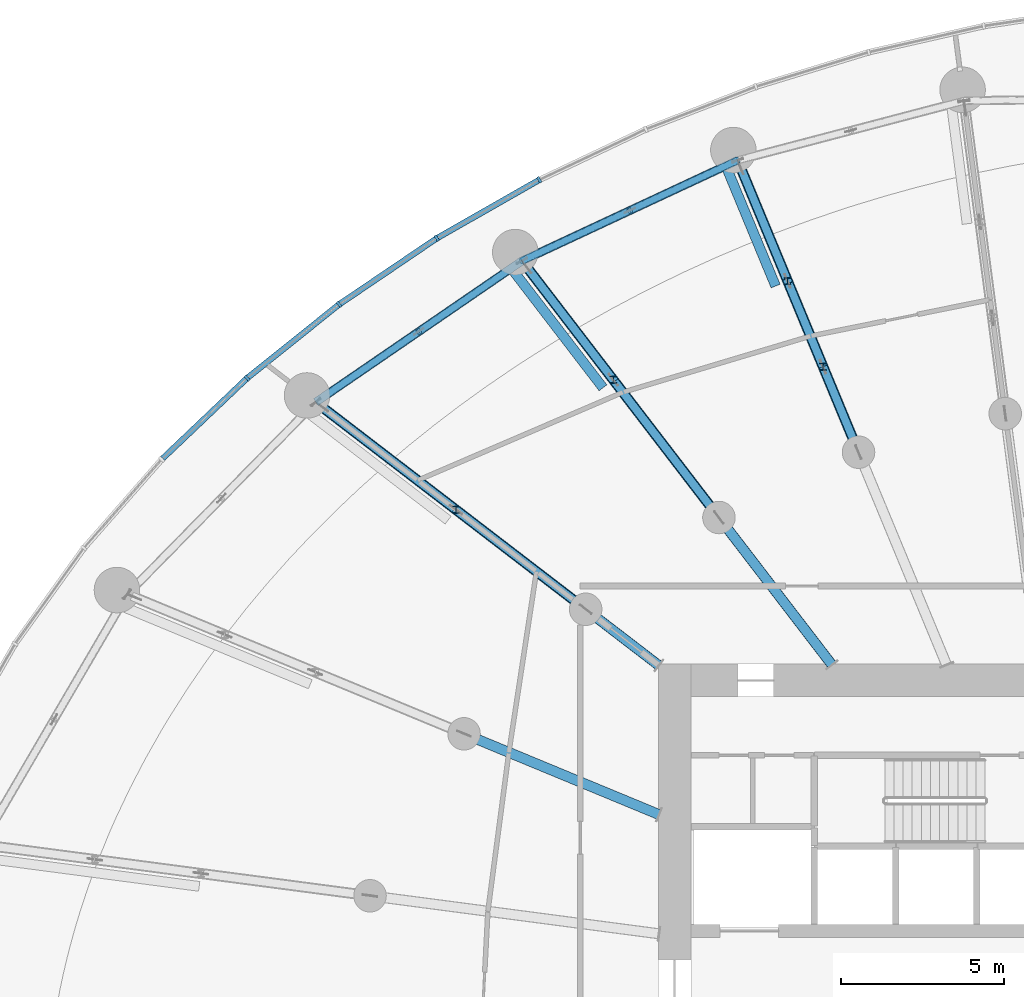
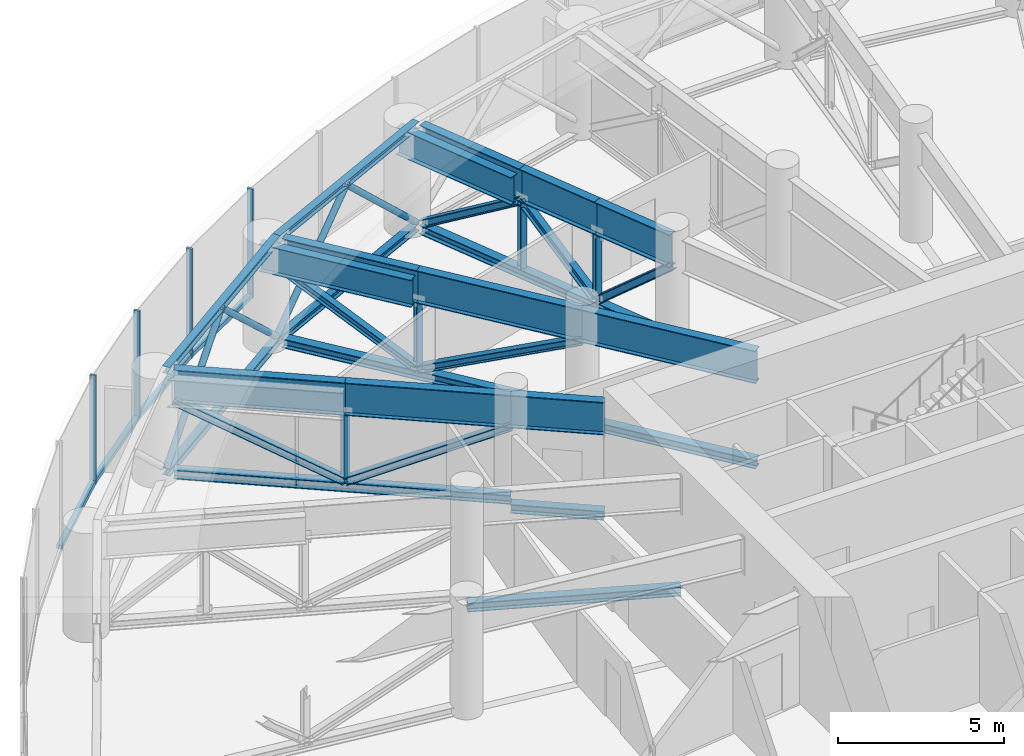
# One storey, part 11 of 42: 33 members, 11 beams, 2 elements without a shape of their own.
"""IFC4 building model written with IfcOpenShell, lengths in metres."""

from ifc_helpers import new_model, si_unit, direction, frame, origin, origin_2d, place, context, subcontext, project, spatial, rectangle, hollow_circle, i_section, extrude, source, transform, mapped, material, layer, layer_set, material_profile, profile_set, type_object, element, aggregate, save


model = new_model("IFC4")

# Units and contexts
model_context = context("Model", 3, precision=1e-05, world=origin(), true_north=direction((0.0, 1.0)))
body_context = subcontext(model_context, "Body", "Model", "MODEL_VIEW")
ifc_project = project(units=[si_unit("LENGTHUNIT", "METRE"), si_unit("AREAUNIT", "SQUARE_METRE"), si_unit("VOLUMEUNIT", "CUBIC_METRE"), si_unit("PLANEANGLEUNIT", "RADIAN"), si_unit("MASSUNIT", "GRAM", prefix="KILO")], contexts=[model_context])

# Site, building, storey
site_placement = place(None, origin())
site = spatial("IfcSite", under=ifc_project, at=site_placement, CompositionType="ELEMENT")
building_placement = place(site_placement, origin())
building = spatial("IfcBuilding", under=site, at=building_placement, Name="Spindrift Exchange Tower", CompositionType="ELEMENT")
storey_placement = place(building_placement, frame((0.0, 0.0, 75.39990234375)))
storey = spatial("IfcBuildingStorey", under=building, at=storey_placement, Name="L17", CompositionType="ELEMENT", Elevation=75.39990234375)

# Members
ifc_material_1 = material(Name="Steel Grade 300", Category="steel")
ifc_material_profile_1 = material_profile(ifc_material_1, i_section(OverallWidth=0.205078125, OverallDepth=0.2099609375, WebThickness=0.00927734375, FlangeThickness=0.01416015625, FilletRadius=0.012939453125, at=origin_2d()), Name="200UC59.5")
ifc_profile_set_1 = profile_set([ifc_material_profile_1], Name="Steel Grade 300")
member_type_1 = type_object("IfcMemberType", Name="Outrigger Truss Post 200UC59.5 Steel Grade 300", PredefinedType="POST", material=ifc_profile_set_1)
shared_shape_1 = source(origin(), body_context, "Body", "SweptSolid", [
    extrude(i_section(OverallWidth=0.205078125, OverallDepth=0.2099609375, WebThickness=0.00927734375, FlangeThickness=0.01416015625, FilletRadius=0.012939453125, at=origin_2d()), origin(), (0.0, 0.0, 1.0), 2.472900390625),
])
for number, where, z_axis, x_axis, name in (
    (1, (44.068115234375, 67.14892578125, 0.3271484375), (0.0, 0.0, 1.0), (1.0, 0.0, 0.0), "L17 outrigger truss 08 post 2"),
    (2, (42.978271484375, 69.780517578125, 0.3271484375), (0.0, 0.0, 1.0), (1.0, 0.0, 0.0), "L17 outrigger truss 08 post 3"),
    (3, (37.617919921875, 66.742919921875, 0.3271484375), (0.0, 0.0, 1.0), (1.0, 0.0, 0.0), "L17 outrigger truss 09 post 2"),
    (4, (32.7802734375, 62.747802734375, 0.3271484375), (0.0, 0.0, 1.0), (1.0, 0.0, 0.0), "L17 outrigger truss 10 post 2"),
):
    element("IfcMember", number, at=place(storey_placement, frame(where, z_axis=z_axis, x_axis=x_axis)), inside=storey, type_object=member_type_1, Name=name, PredefinedType="POST", context=body_context, shape_type="MappedRepresentation", body=[
        mapped(shared_shape_1, transform((0.0, 0.0, 0.0), scale=1.0)),
    ])

# Beam
ifc_material_profile_2 = material_profile(ifc_material_1, i_section(OverallWidth=0.300048828125, OverallDepth=1.199951171875, WebThickness=0.011962890625, FlangeThickness=0.028076171875, at=origin_2d()), Name="1200WB249")
ifc_profile_set_2 = profile_set([ifc_material_profile_2], Name="Steel Grade 300")
beam_type_1 = type_object("IfcBeamType", Name="Outrigger Truss Transfer Girder 1200WB249 Steel Grade 300", PredefinedType="BEAM", material=ifc_profile_set_2)
shared_shape_2 = source(origin(), body_context, "Body", "SweptSolid", [
    extrude(i_section(OverallWidth=0.300048828125, OverallDepth=1.199951171875, WebThickness=0.011962890625, FlangeThickness=0.028076171875, at=origin_2d()), origin(), (0.0, 0.0, 1.0), 2.84814453125),
])
beam_1_placement = place(storey_placement, frame((45.158203125, 64.517578125, 3.400146484375), z_axis=(-0.382727785933, 0.923861159415, 0.0), x_axis=(-0.923861159415, -0.382727785933, 0.0)))
element("IfcBeam", 5, at=beam_1_placement, inside=storey, type_object=beam_type_1, Name="L17 outrigger truss 08 top chord 2", PredefinedType="BEAM", context=body_context, shape_type="MappedRepresentation", body=[
    mapped(shared_shape_2, transform((0.0, 0.0, 0.0), scale=1.0)),
])

# Members
ifc_material_profile_3 = material_profile(ifc_material_1, i_section(OverallWidth=0.31103515625, OverallDepth=0.326904296875, WebThickness=0.015625, FlangeThickness=0.02490234375, FilletRadius=0.0166015625, at=origin_2d()), Name="310UC158")
ifc_profile_set_3 = profile_set([ifc_material_profile_3], Name="Steel Grade 300")
member_type_2 = type_object("IfcMemberType", Name="Outrigger Truss Chord 310UC158 Steel Grade 300", PredefinedType="CHORD", material=ifc_profile_set_3)
shared_shape_3 = source(origin(), body_context, "Body", "SweptSolid", [
    extrude(i_section(OverallWidth=0.31103515625, OverallDepth=0.326904296875, WebThickness=0.015625, FlangeThickness=0.02490234375, FilletRadius=0.0166015625, at=origin_2d()), origin(), (0.0, 0.0, 1.0), 9.4765625),
])
member_1_placement = place(storey_placement, frame((45.158203125, 64.517578125, 0.16357421875), z_axis=(-0.38268095717, 0.923880557767, 0.0), x_axis=(-0.923880557767, -0.38268095717, 0.0)))
element("IfcMember", 6, at=member_1_placement, inside=storey, type_object=member_type_2, Name="L17 outrigger truss 08 bottom chord 2", PredefinedType="CHORD", context=body_context, shape_type="MappedRepresentation", body=[
    mapped(shared_shape_3, transform((0.0, 0.0, 0.0), scale=1.0)),
])
ifc_material_profile_4 = material_profile(ifc_material_1, i_section(OverallWidth=0.256103515625, OverallDepth=0.260009765625, WebThickness=0.010498046875, FlangeThickness=0.017333984375, FilletRadius=0.011962890625, at=origin_2d()), Name="250UC89.5")
ifc_profile_set_4 = profile_set([ifc_material_profile_4], Name="Steel Grade 300")
member_type_3 = type_object("IfcMemberType", Name="Outrigger Truss Diagonal 250UC89.5 Steel Grade 300", PredefinedType="BRACE", material=ifc_profile_set_4)
shared_shape_4 = source(origin(), body_context, "Body", "SweptSolid", [
    extrude(i_section(OverallWidth=0.256103515625, OverallDepth=0.260009765625, WebThickness=0.010498046875, FlangeThickness=0.017333984375, FilletRadius=0.011962890625, at=origin_2d()), origin(), (0.0, 0.0, 1.0), 3.77197265625),
])
for number, where, z_axis, x_axis, name in (
    (7, (45.158203125, 64.517578125, 2.800048828125), (-0.288999397059, 0.697611534492, -0.655604679242), (-0.923861159415, -0.382727785933, 0.0), "L17 outrigger truss 08 diagonal 2"),
    (8, (44.068115234375, 67.14892578125, 0.3271484375), (-0.288927029006, 0.697657805927, 0.655587337994), (-0.923904016107, -0.382624318388, 0.0), "L17 outrigger truss 08 diagonal 3"),
):
    element("IfcMember", number, at=place(storey_placement, frame(where, z_axis=z_axis, x_axis=x_axis)), inside=storey, type_object=member_type_3, Name=name, PredefinedType="BRACE", context=body_context, shape_type="MappedRepresentation", body=[
        mapped(shared_shape_4, transform((0.0, 0.0, 0.0), scale=1.0)),
    ])

# Beams
shared_shape_5 = source(origin(), body_context, "Body", "SweptSolid", [
    extrude(i_section(OverallWidth=0.300048828125, OverallDepth=1.199951171875, WebThickness=0.011962890625, FlangeThickness=0.028076171875, at=origin_2d()), origin(), (0.0, 0.0, 1.0), 2.848388671875),
])
beam_2_placement = place(storey_placement, frame((44.068115234375, 67.14892578125, 3.400146484375), z_axis=(-0.382624318388, 0.923904016107, 0.0), x_axis=(-0.923904016107, -0.382624318388, 0.0)))
element("IfcBeam", 9, at=beam_2_placement, inside=storey, type_object=beam_type_1, Name="L17 outrigger truss 08 top chord 3", PredefinedType="BEAM", context=body_context, shape_type="MappedRepresentation", body=[
    mapped(shared_shape_5, transform((0.0, 0.0, 0.0), scale=1.0)),
])
shared_shape_6 = source(origin(), body_context, "Body", "SweptSolid", [
    extrude(i_section(OverallWidth=0.300048828125, OverallDepth=1.199951171875, WebThickness=0.011962890625, FlangeThickness=0.028076171875, at=origin_2d()), origin(), (0.0, 0.0, 1.0), 3.780029296875),
])
beam_3_placement = place(storey_placement, frame((42.978271484375, 69.780517578125, 3.400146484375), z_axis=(-0.382688350161, 0.923877495478, 0.0), x_axis=(-0.923877495478, -0.382688350161, 0.0)))
element("IfcBeam", 10, at=beam_3_placement, inside=storey, type_object=beam_type_1, Name="L17 outrigger truss 08 top chord 4", PredefinedType="BEAM", context=body_context, shape_type="MappedRepresentation", body=[
    mapped(shared_shape_6, transform((0.0, 0.0, 0.0), scale=1.0)),
])

# Member
shared_shape_7 = source(origin(), body_context, "Body", "SweptSolid", [
    extrude(i_section(OverallWidth=0.256103515625, OverallDepth=0.260009765625, WebThickness=0.010498046875, FlangeThickness=0.017333984375, FilletRadius=0.011962890625, at=origin_2d()), origin(), (0.0, 0.0, 1.0), 4.51708984375),
])
member_2_placement = place(storey_placement, frame((42.978271484375, 69.780517578125, 2.800048828125), z_axis=(-0.320243752659, 0.773125170976, -0.547468180706), x_axis=(-0.923877495478, -0.382688350161, 0.0)))
element("IfcMember", 11, at=member_2_placement, inside=storey, type_object=member_type_3, Name="L17 outrigger truss 08 diagonal 4", PredefinedType="BRACE", context=body_context, shape_type="MappedRepresentation", body=[
    mapped(shared_shape_7, transform((0.0, 0.0, 0.0), scale=1.0)),
])

# Beam
shared_shape_8 = source(origin(), body_context, "Body", "SweptSolid", [
    extrude(i_section(OverallWidth=0.300048828125, OverallDepth=1.199951171875, WebThickness=0.011962890625, FlangeThickness=0.028076171875, at=origin_2d()), origin(), (0.0, 0.0, 1.0), 5.70458984375),
])
beam_4_placement = place(storey_placement, frame((44.3388671875, 57.984130859375, 3.400146484375), z_axis=(-0.608742365615, 0.793367967784, 0.0), x_axis=(-0.793367967784, -0.608742365615, 0.0)))
element("IfcBeam", 12, at=beam_4_placement, inside=storey, type_object=beam_type_1, Name="L17 outrigger truss 09 top chord 1", PredefinedType="BEAM", context=body_context, shape_type="MappedRepresentation", body=[
    mapped(shared_shape_8, transform((0.0, 0.0, 0.0), scale=1.0)),
])

# Member
shared_shape_9 = source(origin(), body_context, "Body", "SweptSolid", [
    extrude(i_section(OverallWidth=0.31103515625, OverallDepth=0.326904296875, WebThickness=0.015625, FlangeThickness=0.02490234375, FilletRadius=0.0166015625, at=origin_2d()), origin(), (0.0, 0.0, 1.0), 5.70458984375),
])
member_3_placement = place(storey_placement, frame((44.3388671875, 57.984130859375, -0.163330078125), z_axis=(-0.608742365615, 0.793367967784, 0.0), x_axis=(-0.793367967784, -0.608742365615, 0.0)))
element("IfcMember", 13, at=member_3_placement, inside=storey, type_object=member_type_2, Name="L17 outrigger truss 09 bottom chord 1", PredefinedType="CHORD", context=body_context, shape_type="MappedRepresentation", body=[
    mapped(shared_shape_9, transform((0.0, 0.0, 0.0), scale=1.0)),
])

# Beam
shared_shape_10 = source(origin(), body_context, "Body", "SweptSolid", [
    extrude(i_section(OverallWidth=0.300048828125, OverallDepth=1.199951171875, WebThickness=0.011962890625, FlangeThickness=0.028076171875, at=origin_2d()), origin(), (0.0, 0.0, 1.0), 5.335693359375),
])
beam_5_placement = place(storey_placement, frame((40.8662109375, 62.510009765625, 3.400146484375), z_axis=(-0.608792667056, 0.793329369517, 0.0), x_axis=(-0.793329369517, -0.608792667056, 0.0)))
element("IfcBeam", 14, at=beam_5_placement, inside=storey, type_object=beam_type_1, Name="L17 outrigger truss 09 top chord 2", PredefinedType="BEAM", context=body_context, shape_type="MappedRepresentation", body=[
    mapped(shared_shape_10, transform((0.0, 0.0, 0.0), scale=1.0)),
])

# Members
shared_shape_11 = source(origin(), body_context, "Body", "SweptSolid", [
    extrude(i_section(OverallWidth=0.31103515625, OverallDepth=0.326904296875, WebThickness=0.015625, FlangeThickness=0.02490234375, FilletRadius=0.0166015625, at=origin_2d()), origin(), (0.0, 0.0, 1.0), 9.707763671875),
])
member_4_placement = place(storey_placement, frame((40.8662109375, 62.510009765625, 0.16357421875), z_axis=(-0.608759891008, 0.793354520438, 0.0), x_axis=(-0.793354520438, -0.608759891008, 0.0)))
element("IfcMember", 15, at=member_4_placement, inside=storey, type_object=member_type_2, Name="L17 outrigger truss 09 bottom chord 2", PredefinedType="CHORD", context=body_context, shape_type="MappedRepresentation", body=[
    mapped(shared_shape_11, transform((0.0, 0.0, 0.0), scale=1.0)),
])
shared_shape_12 = source(origin(), body_context, "Body", "SweptSolid", [
    extrude(i_section(OverallWidth=0.256103515625, OverallDepth=0.260009765625, WebThickness=0.010498046875, FlangeThickness=0.017333984375, FilletRadius=0.011962890625, at=origin_2d()), origin(), (0.0, 0.0, 1.0), 5.880859375),
])
member_5_placement = place(storey_placement, frame((40.8662109375, 62.510009765625, 2.800048828125), z_axis=(-0.552352494551, 0.71978110113, -0.420501947938), x_axis=(-0.793329369517, -0.608792667056, 0.0)))
element("IfcMember", 16, at=member_5_placement, inside=storey, type_object=member_type_3, Name="L17 outrigger truss 09 diagonal 2", PredefinedType="BRACE", context=body_context, shape_type="MappedRepresentation", body=[
    mapped(shared_shape_12, transform((0.0, 0.0, 0.0), scale=1.0)),
])

# Beam
shared_shape_13 = source(origin(), body_context, "Body", "SweptSolid", [
    extrude(i_section(OverallWidth=0.300048828125, OverallDepth=1.199951171875, WebThickness=0.011962890625, FlangeThickness=0.028076171875, at=origin_2d()), origin(), (0.0, 0.0, 1.0), 4.3720703125),
])
beam_6_placement = place(storey_placement, frame((37.617919921875, 66.742919921875, 3.400146484375), z_axis=(-0.608719890224, 0.793385212394, 0.0), x_axis=(-0.793385212394, -0.608719890224, 0.0)))
element("IfcBeam", 17, at=beam_6_placement, inside=storey, type_object=beam_type_1, Name="L17 outrigger truss 09 top chord 3", PredefinedType="BEAM", context=body_context, shape_type="MappedRepresentation", body=[
    mapped(shared_shape_13, transform((0.0, 0.0, 0.0), scale=1.0)),
])

# Member
shared_shape_14 = source(origin(), body_context, "Body", "SweptSolid", [
    extrude(i_section(OverallWidth=0.256103515625, OverallDepth=0.260009765625, WebThickness=0.010498046875, FlangeThickness=0.017333984375, FilletRadius=0.011962890625, at=origin_2d()), origin(), (0.0, 0.0, 1.0), 5.02294921875),
])
member_6_placement = place(storey_placement, frame((37.617919921875, 66.742919921875, 0.3271484375), z_axis=(-0.529839592695, 0.690575262178, 0.492316781433), x_axis=(-0.793385212394, -0.608719890224, 0.0)))
element("IfcMember", 18, at=member_6_placement, inside=storey, type_object=member_type_3, Name="L17 outrigger truss 09 diagonal 3", PredefinedType="BRACE", context=body_context, shape_type="MappedRepresentation", body=[
    mapped(shared_shape_14, transform((0.0, 0.0, 0.0), scale=1.0)),
])

# Beam
shared_shape_15 = source(origin(), body_context, "Body", "SweptSolid", [
    extrude(i_section(OverallWidth=0.300048828125, OverallDepth=1.199951171875, WebThickness=0.011962890625, FlangeThickness=0.028076171875, at=origin_2d()), origin(), (0.0, 0.0, 1.0), 2.833740234375),
])
beam_7_placement = place(storey_placement, frame((39.015869140625, 57.963134765625, 3.400146484375), z_axis=(-0.793366414634, 0.608744389815, 0.0), x_axis=(-0.608744389815, -0.793366414634, 0.0)))
element("IfcBeam", 19, at=beam_7_placement, inside=storey, type_object=beam_type_1, Name="L17 outrigger truss 10 top chord 1", PredefinedType="BEAM", context=body_context, shape_type="MappedRepresentation", body=[
    mapped(shared_shape_15, transform((0.0, 0.0, 0.0), scale=1.0)),
])

# Member
shared_shape_16 = source(origin(), body_context, "Body", "SweptSolid", [
    extrude(i_section(OverallWidth=0.31103515625, OverallDepth=0.326904296875, WebThickness=0.015625, FlangeThickness=0.02490234375, FilletRadius=0.0166015625, at=origin_2d()), origin(), (0.0, 0.0, 1.0), 2.833740234375),
])
member_7_placement = place(storey_placement, frame((39.015869140625, 57.963134765625, -0.163330078125), z_axis=(-0.793366414634, 0.608744389815, 0.0), x_axis=(-0.608744389815, -0.793366414634, 0.0)))
element("IfcMember", 20, at=member_7_placement, inside=storey, type_object=member_type_2, Name="L17 outrigger truss 10 bottom chord 1", PredefinedType="CHORD", context=body_context, shape_type="MappedRepresentation", body=[
    mapped(shared_shape_16, transform((0.0, 0.0, 0.0), scale=1.0)),
])

# Beam
shared_shape_17 = source(origin(), body_context, "Body", "SweptSolid", [
    extrude(i_section(OverallWidth=0.300048828125, OverallDepth=1.199951171875, WebThickness=0.011962890625, FlangeThickness=0.028076171875, at=origin_2d()), origin(), (0.0, 0.0, 1.0), 5.02587890625),
])
beam_8_placement = place(storey_placement, frame((36.767578125, 59.688232421875, 3.400146484375), z_axis=(-0.793352973546, 0.60876190696, 0.0), x_axis=(-0.60876190696, -0.793352973546, 0.0)))
element("IfcBeam", 21, at=beam_8_placement, inside=storey, type_object=beam_type_1, Name="L17 outrigger truss 10 top chord 2", PredefinedType="BEAM", context=body_context, shape_type="MappedRepresentation", body=[
    mapped(shared_shape_17, transform((0.0, 0.0, 0.0), scale=1.0)),
])

# Members
shared_shape_18 = source(origin(), body_context, "Body", "SweptSolid", [
    extrude(i_section(OverallWidth=0.31103515625, OverallDepth=0.326904296875, WebThickness=0.015625, FlangeThickness=0.02490234375, FilletRadius=0.0166015625, at=origin_2d()), origin(), (0.0, 0.0, 1.0), 10.2197265625),
])
member_8_placement = place(storey_placement, frame((36.767578125, 59.688232421875, 0.16357421875), z_axis=(-0.793352524253, 0.608762492489, 0.0), x_axis=(-0.608762492489, -0.793352524253, 0.0)))
element("IfcMember", 22, at=member_8_placement, inside=storey, type_object=member_type_2, Name="L17 outrigger truss 10 bottom chord 2", PredefinedType="CHORD", context=body_context, shape_type="MappedRepresentation", body=[
    mapped(shared_shape_18, transform((0.0, 0.0, 0.0), scale=1.0)),
])
shared_shape_19 = source(origin(), body_context, "Body", "SweptSolid", [
    extrude(i_section(OverallWidth=0.256103515625, OverallDepth=0.260009765625, WebThickness=0.010498046875, FlangeThickness=0.017333984375, FilletRadius=0.011962890625, at=origin_2d()), origin(), (0.0, 0.0, 1.0), 5.601318359375),
])
member_9_placement = place(storey_placement, frame((36.767578125, 59.688232421875, 2.800048828125), z_axis=(-0.71185067652, 0.546222916859, -0.441485152), x_axis=(-0.60876190696, -0.793352973546, 0.0)))
element("IfcMember", 23, at=member_9_placement, inside=storey, type_object=member_type_3, Name="L17 outrigger truss 10 diagonal 2", PredefinedType="BRACE", context=body_context, shape_type="MappedRepresentation", body=[
    mapped(shared_shape_19, transform((0.0, 0.0, 0.0), scale=1.0)),
])

# Beam
shared_shape_20 = source(origin(), body_context, "Body", "SweptSolid", [
    extrude(i_section(OverallWidth=0.300048828125, OverallDepth=1.199951171875, WebThickness=0.011962890625, FlangeThickness=0.028076171875, at=origin_2d()), origin(), (0.0, 0.0, 1.0), 5.19384765625),
])
beam_9_placement = place(storey_placement, frame((32.7802734375, 62.747802734375, 3.400146484375), z_axis=(-0.793352089495, 0.608763059074, 0.0), x_axis=(-0.608763059074, -0.793352089495, 0.0)))
element("IfcBeam", 24, at=beam_9_placement, inside=storey, type_object=beam_type_1, Name="L17 outrigger truss 10 top chord 3", PredefinedType="BEAM", context=body_context, shape_type="MappedRepresentation", body=[
    mapped(shared_shape_20, transform((0.0, 0.0, 0.0), scale=1.0)),
])

# Members
shared_shape_21 = source(origin(), body_context, "Body", "SweptSolid", [
    extrude(i_section(OverallWidth=0.256103515625, OverallDepth=0.260009765625, WebThickness=0.010498046875, FlangeThickness=0.017333984375, FilletRadius=0.011962890625, at=origin_2d()), origin(), (0.0, 0.0, 1.0), 5.752685546875),
])
member_10_placement = place(storey_placement, frame((32.7802734375, 62.747802734375, 0.3271484375), z_axis=(-0.716307357017, 0.549644305056, 0.429877782867), x_axis=(-0.608763059074, -0.793352089495, 0.0)))
element("IfcMember", 25, at=member_10_placement, inside=storey, type_object=member_type_3, Name="L17 outrigger truss 10 diagonal 3", PredefinedType="BRACE", context=body_context, shape_type="MappedRepresentation", body=[
    mapped(shared_shape_21, transform((0.0, 0.0, 0.0), scale=1.0)),
])
shared_shape_22 = source(origin(), body_context, "Body", "SweptSolid", [
    extrude(i_section(OverallWidth=0.31103515625, OverallDepth=0.326904296875, WebThickness=0.015625, FlangeThickness=0.02490234375, FilletRadius=0.0166015625, at=origin_2d()), origin(), (0.0, 0.0, 1.0), 6.484619140625),
])
member_11_placement = place(storey_placement, frame((39.0185546875, 53.377197265625, -0.163330078125), z_axis=(-0.923884678616, 0.382671008332, 0.0), x_axis=(-0.382671008332, -0.923884678616, 0.0)))
element("IfcMember", 26, at=member_11_placement, inside=storey, type_object=member_type_2, Name="L17 outrigger truss 11 bottom chord 1", PredefinedType="CHORD", context=body_context, shape_type="MappedRepresentation", body=[
    mapped(shared_shape_22, transform((0.0, 0.0, 0.0), scale=1.0)),
])
ifc_material_profile_5 = material_profile(ifc_material_1, i_section(OverallWidth=0.256103515625, OverallDepth=0.260009765625, WebThickness=0.010498046875, FlangeThickness=0.017333984375, FilletRadius=0.011962890625, at=origin_2d()), Name="250UC89.5")
ifc_profile_set_5 = profile_set([ifc_material_profile_5], Name="Steel Grade 300")
member_type_4 = type_object("IfcMemberType", Name="Belt Truss Chord 250UC89.5 Steel Grade 300", PredefinedType="CHORD", material=ifc_profile_set_5)
shared_shape_23 = source(origin(), body_context, "Body", "SweptSolid", [
    extrude(i_section(OverallWidth=0.256103515625, OverallDepth=0.260009765625, WebThickness=0.010498046875, FlangeThickness=0.017333984375, FilletRadius=0.011962890625, at=origin_2d()), origin(), (0.0, 0.0, 1.0), 7.315185546875),
])
for number, where, z_axis, x_axis, name in (
    (27, (41.439697265625, 73.494384765625, 3.8701171875), (-0.906258158032, -0.422724675173, 0.0), (0.422724675173, -0.906258158032, 0.0), "L17 belt truss 08 top chord"),
    (28, (41.439697265625, 73.494384765625, 0.130126953125), (-0.906258158032, -0.422724675173, 0.0), (0.422724675173, -0.906258158032, 0.0), "L17 belt truss 08 bottom chord"),
):
    element("IfcMember", number, at=place(storey_placement, frame(where, z_axis=z_axis, x_axis=x_axis)), inside=storey, type_object=member_type_4, Name=name, PredefinedType="CHORD", context=body_context, shape_type="MappedRepresentation", body=[
        mapped(shared_shape_23, transform((0.0, 0.0, 0.0), scale=1.0)),
    ])
ifc_material_2 = material(Name="Steel Grade 350", Category="steel")
ifc_material_profile_6 = material_profile(ifc_material_2, hollow_circle(Radius=0.109619140625, WallThickness=0.00830078125, at=origin_2d()), Name="219.1x8.2CHS")
ifc_profile_set_6 = profile_set([ifc_material_profile_6], Name="Steel Grade 350")
member_type_5 = type_object("IfcMemberType", Name="Belt Truss Diagonal 219.1x8.2CHS Steel Grade 350", PredefinedType="BRACE", material=ifc_profile_set_6)
shared_shape_24 = source(origin(), body_context, "Body", "SweptSolid", [
    extrude(hollow_circle(Radius=0.109619140625, WallThickness=0.00830078125, at=origin_2d()), origin(), (0.0, 0.0, 1.0), 5.048583984375),
])
for number, where, z_axis, x_axis, name in (
    (29, (41.439697265625, 73.494384765625, 0.260009765625), (-0.656561873105, -0.306253689502, 0.689300503737), (0.422724675173, -0.906258158032, 0.0), "L17 belt truss 08 diagonal 1"),
    (30, (38.125, 71.9482421875, 3.739990234375), (-0.656561873105, -0.306253689502, -0.689300503737), (0.422724675173, -0.906258158032, 0.0), "L17 belt truss 08 diagonal 2"),
):
    element("IfcMember", number, at=place(storey_placement, frame(where, z_axis=z_axis, x_axis=x_axis)), inside=storey, type_object=member_type_5, Name=name, PredefinedType="BRACE", context=body_context, shape_type="MappedRepresentation", body=[
        mapped(shared_shape_24, transform((0.0, 0.0, 0.0), scale=1.0)),
    ])
shared_shape_25 = source(origin(), body_context, "Body", "SweptSolid", [
    extrude(i_section(OverallWidth=0.256103515625, OverallDepth=0.260009765625, WebThickness=0.010498046875, FlangeThickness=0.017333984375, FilletRadius=0.011962890625, at=origin_2d()), origin(), (0.0, 0.0, 1.0), 7.687744140625),
])
for number, where, z_axis, x_axis, name in (
    (31, (34.810302734375, 70.402099609375, 3.8701171875), (-0.824858327157, -0.565339491031, 0.0), (0.565339491031, -0.824858327157, 0.0), "L17 belt truss 09 top chord"),
    (32, (34.810302734375, 70.402099609375, 0.130126953125), (-0.824858327157, -0.565339491031, 0.0), (0.565339491031, -0.824858327157, 0.0), "L17 belt truss 09 bottom chord"),
):
    element("IfcMember", number, at=place(storey_placement, frame(where, z_axis=z_axis, x_axis=x_axis)), inside=storey, type_object=member_type_4, Name=name, PredefinedType="CHORD", context=body_context, shape_type="MappedRepresentation", body=[
        mapped(shared_shape_25, transform((0.0, 0.0, 0.0), scale=1.0)),
    ])
shared_shape_26 = source(origin(), body_context, "Body", "SweptSolid", [
    extrude(hollow_circle(Radius=0.109619140625, WallThickness=0.00830078125, at=origin_2d()), origin(), (0.0, 0.0, 1.0), 5.18505859375),
])
member_12_placement = place(storey_placement, frame((34.810302734375, 70.402099609375, 0.260009765625), z_axis=(-0.611459395041, -0.419112896601, 0.671164501534), x_axis=(0.565369110456, -0.824838025883, 0.0)))
element("IfcMember", 33, at=member_12_placement, inside=storey, type_object=member_type_5, Name="L17 belt truss 09 diagonal 1", PredefinedType="BRACE", context=body_context, shape_type="MappedRepresentation", body=[
    mapped(shared_shape_26, transform((0.0, 0.0, 0.0), scale=1.0)),
])
shared_shape_27 = source(origin(), body_context, "Body", "SweptSolid", [
    extrude(hollow_circle(Radius=0.109619140625, WallThickness=0.00830078125, at=origin_2d()), origin(), (0.0, 0.0, 1.0), 5.185302734375),
])
member_13_placement = place(storey_placement, frame((31.639892578125, 68.22900390625, 3.739990234375), z_axis=(-0.611518352735, -0.419088763296, -0.671125854626), x_axis=(0.565309873981, -0.824878625241, 0.0)))
element("IfcMember", 34, at=member_13_placement, inside=storey, type_object=member_type_5, Name="L17 belt truss 09 diagonal 2", PredefinedType="BRACE", context=body_context, shape_type="MappedRepresentation", body=[
    mapped(shared_shape_27, transform((0.0, 0.0, 0.0), scale=1.0)),
])

# Beams
ifc_material_profile_7 = material_profile(ifc_material_1, i_section(OverallWidth=0.300048828125, OverallDepth=1.0, WebThickness=0.010009765625, FlangeThickness=0.02001953125, at=origin_2d()), Name="1000WB215")
ifc_profile_set_7 = profile_set([ifc_material_profile_7], Name="Steel Grade 300")
beam_type_2 = type_object("IfcBeamType", Name="Transfer Tie Beam 1000WB215 Steel Grade 300", PredefinedType="BEAM", material=ifc_profile_set_7)
shared_shape_28 = source(origin(), body_context, "Body", "SweptSolid", [
    extrude(i_section(OverallWidth=0.300048828125, OverallDepth=1.0, WebThickness=0.010009765625, FlangeThickness=0.02001953125, at=origin_2d()), origin(), (0.0, 0.0, 1.0), 4.35986328125),
])
beam_10_placement = place(storey_placement, frame((40.940185546875, 73.655517578125, 3.400146484375), z_axis=(0.382678195587, -0.923881701638, 0.0), x_axis=(0.923881701638, 0.382678195587, 0.0)))
element("IfcBeam", 35, at=beam_10_placement, inside=storey, type_object=beam_type_2, Name="L17 transfer tie beam K08", PredefinedType="BEAM", context=body_context, shape_type="MappedRepresentation", body=[
    mapped(shared_shape_28, transform((0.0, 0.0, 0.0), scale=1.0)),
])
shared_shape_29 = source(origin(), body_context, "Body", "SweptSolid", [
    extrude(i_section(OverallWidth=0.300048828125, OverallDepth=1.0, WebThickness=0.010009765625, FlangeThickness=0.02001953125, at=origin_2d()), origin(), (0.0, 0.0, 1.0), 4.9521484375),
])
beam_11_placement = place(storey_placement, frame((34.2861328125, 70.42822265625, 3.400146484375), z_axis=(0.608766831684, -0.793349194644, 0.0), x_axis=(0.793349194644, 0.608766831684, 0.0)))
element("IfcBeam", 36, at=beam_11_placement, inside=storey, type_object=beam_type_2, Name="L17 transfer tie beam K09", PredefinedType="BEAM", context=body_context, shape_type="MappedRepresentation", body=[
    mapped(shared_shape_29, transform((0.0, 0.0, 0.0), scale=1.0)),
])

# Curtain wall, member
ifc_material_3 = material(Name="Fritted laminated glass with bronze frame", Category="glass")
ifc_layer = layer(ifc_material_3, 0.199951171875)
ifc_layer_set = layer_set([ifc_layer], Name="ZONE 1 BRONZE FRITTED WALL")
curtain_wall_type = type_object("IfcCurtainWallType", Name="ZONE 1 BRONZE FRITTED WALL", PredefinedType="NOTDEFINED", material=ifc_layer_set)
curtain_wall_1_placement = place(storey_placement, origin())
curtain_wall_1 = element("IfcCurtainWall", 37, at=curtain_wall_1_placement, inside=storey, type_object=curtain_wall_type, Name="L17 Zone 1 Bronze Fritted Wall run 3", PredefinedType="NOTDEFINED")
ifc_material_4 = material(Name="Bronze anodised aluminium", Category="aluminium")
ifc_material_profile_8 = material_profile(ifc_material_4, rectangle(XDim=0.179931640625, YDim=0.14990234375, at=origin_2d()), Name="ZONE 1 BRONZE FRITTED WALL TRANSOM 180X150")
ifc_profile_set_8 = profile_set([ifc_material_profile_8], Name="Bronze anodised aluminium")
member_type_6 = type_object("IfcMemberType", Name="ZONE 1 BRONZE FRITTED WALL TRANSOM 180X150", PredefinedType="USERDEFINED", material=ifc_profile_set_8)
shared_shape_30 = source(origin(), body_context, "Body", "SweptSolid", [
    extrude(rectangle(XDim=0.179931640625, YDim=0.14990234375, at=origin_2d()), origin(), (0.0, 0.0, 1.0), 3.54736328125),
])
member_14_placement = place(storey_placement, frame((35.30810546875, 72.875, 0.0751953125), z_axis=(-0.868827009427, -0.495115772007, 0.0), x_axis=(0.495115772007, -0.868827009427, 0.0)))
member_14 = element("IfcMember", 38, at=member_14_placement, type_object=member_type_6, Name="L17 transom CW-1.18", ObjectType="TRANSOM", PredefinedType="USERDEFINED", context=body_context, shape_type="MappedRepresentation", body=[
    mapped(shared_shape_30, transform((0.0, 0.0, 0.0), scale=1.0)),
])

# Curtain wall, members
curtain_wall_2_placement = place(storey_placement, origin())
curtain_wall_2 = element("IfcCurtainWall", 39, at=curtain_wall_2_placement, inside=storey, type_object=curtain_wall_type, Name="L17 Zone 1 Bronze Fritted Wall run 4", PredefinedType="NOTDEFINED")
member_15_placement = place(storey_placement, frame((32.158203125, 71.076416015625, 0.0751953125), z_axis=(-0.82806916637, -0.560625949905, 0.0), x_axis=(0.560625949905, -0.82806916637, 0.0)))
member_15 = element("IfcMember", 40, at=member_15_placement, type_object=member_type_6, Name="L17 transom CW-1.19", ObjectType="TRANSOM", PredefinedType="USERDEFINED", context=body_context, shape_type="MappedRepresentation", body=[
    mapped(shared_shape_30, transform((0.0, 0.0, 0.0), scale=1.0)),
])
shared_shape_31 = source(origin(), body_context, "Body", "SweptSolid", [
    extrude(rectangle(XDim=0.179931640625, YDim=0.14990234375, at=origin_2d()), origin(), (0.0, 0.0, 1.0), 3.547119140625),
])
member_16_placement = place(storey_placement, frame((29.156494140625, 69.040283203125, 0.0751953125), z_axis=(-0.780344788878, -0.62534951065, 0.0), x_axis=(0.62534951065, -0.780344788878, 0.0)))
member_16 = element("IfcMember", 41, at=member_16_placement, type_object=member_type_6, Name="L17 transom CW-1.20", ObjectType="TRANSOM", PredefinedType="USERDEFINED", context=body_context, shape_type="MappedRepresentation", body=[
    mapped(shared_shape_31, transform((0.0, 0.0, 0.0), scale=1.0)),
])
member_17_placement = place(storey_placement, frame((26.328125, 66.76953125, 0.0751953125), z_axis=(-0.724574828341, -0.689196139088, 0.0), x_axis=(0.689196139088, -0.724574828341, 0.0)))
member_17 = element("IfcMember", 42, at=member_17_placement, type_object=member_type_6, Name="L17 transom CW-1.21", ObjectType="TRANSOM", PredefinedType="USERDEFINED", context=body_context, shape_type="MappedRepresentation", body=[
    mapped(shared_shape_31, transform((0.0, 0.0, 0.0), scale=1.0)),
])

# Member
ifc_material_profile_9 = material_profile(ifc_material_4, rectangle(XDim=0.080078125, YDim=0.199951171875, at=origin_2d()), Name="ZONE 1 BRONZE FRITTED WALL MULLION 80X200")
ifc_profile_set_9 = profile_set([ifc_material_profile_9], Name="Bronze anodised aluminium")
member_type_7 = type_object("IfcMemberType", Name="ZONE 1 BRONZE FRITTED WALL MULLION 80X200", PredefinedType="MULLION", material=ifc_profile_set_9)
shared_shape_32 = source(origin(), body_context, "Body", "SweptSolid", [
    extrude(rectangle(XDim=0.080078125, YDim=0.199951171875, at=origin_2d()), origin(), (0.0, 0.0, 1.0), 4.0),
])
member_18_placement = place(storey_placement, frame((35.3427734375, 72.894775390625, 0.0), z_axis=(0.0, 0.0, 1.0), x_axis=(-0.886760007627, -0.46223012545, 0.0)))
member_18 = element("IfcMember", 43, at=member_18_placement, type_object=member_type_7, Name="L17 mullion CW-1.18", PredefinedType="MULLION", context=body_context, shape_type="MappedRepresentation", body=[
    mapped(shared_shape_32, transform((0.0, 0.0, 0.0), scale=1.0)),
])

aggregate(curtain_wall_1, [member_18, member_14])

member_19_placement = place(storey_placement, frame((32.19140625, 71.098876953125, 0.0), z_axis=(0.0, 0.0, 1.0), x_axis=(-0.849077615343, -0.528268116701, 0.0)))
member_19 = element("IfcMember", 44, at=member_19_placement, type_object=member_type_7, Name="L17 mullion CW-1.19", PredefinedType="MULLION", context=body_context, shape_type="MappedRepresentation", body=[
    mapped(shared_shape_32, transform((0.0, 0.0, 0.0), scale=1.0)),
])

member_20_placement = place(storey_placement, frame((29.187744140625, 69.065185546875, 0.0), z_axis=(0.0, 0.0, 1.0), x_axis=(-0.804852145454, -0.593475377719, 0.0)))
member_20 = element("IfcMember", 45, at=member_20_placement, type_object=member_type_7, Name="L17 mullion CW-1.20", PredefinedType="MULLION", context=body_context, shape_type="MappedRepresentation", body=[
    mapped(shared_shape_32, transform((0.0, 0.0, 0.0), scale=1.0)),
])

member_21_placement = place(storey_placement, frame((26.357177734375, 66.797119140625, 0.0), z_axis=(0.0, 0.0, 1.0), x_axis=(-0.753160824521, -0.657836432866, 0.0)))
member_21 = element("IfcMember", 46, at=member_21_placement, type_object=member_type_7, Name="L17 mullion CW-1.21", PredefinedType="MULLION", context=body_context, shape_type="MappedRepresentation", body=[
    mapped(shared_shape_32, transform((0.0, 0.0, 0.0), scale=1.0)),
])

aggregate(curtain_wall_2, [member_19, member_15, member_20, member_16, member_21, member_17])

save(model, "model.ifc")
